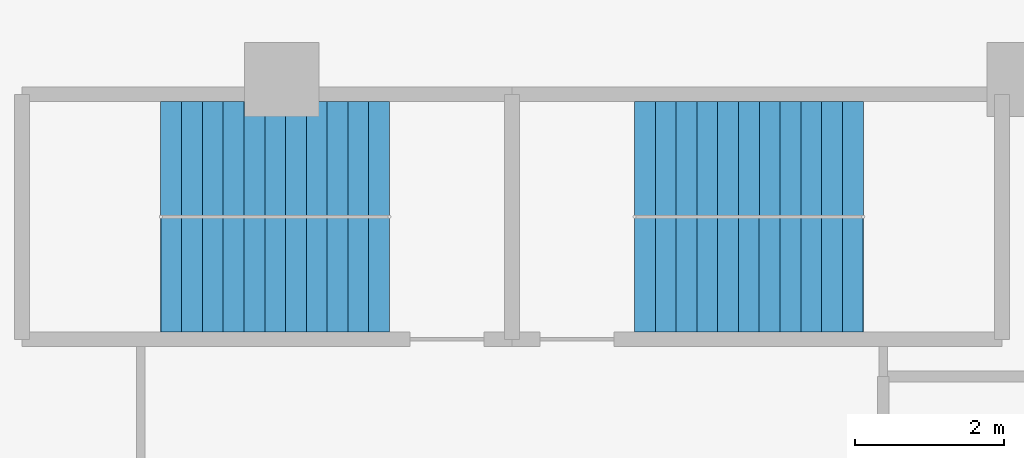
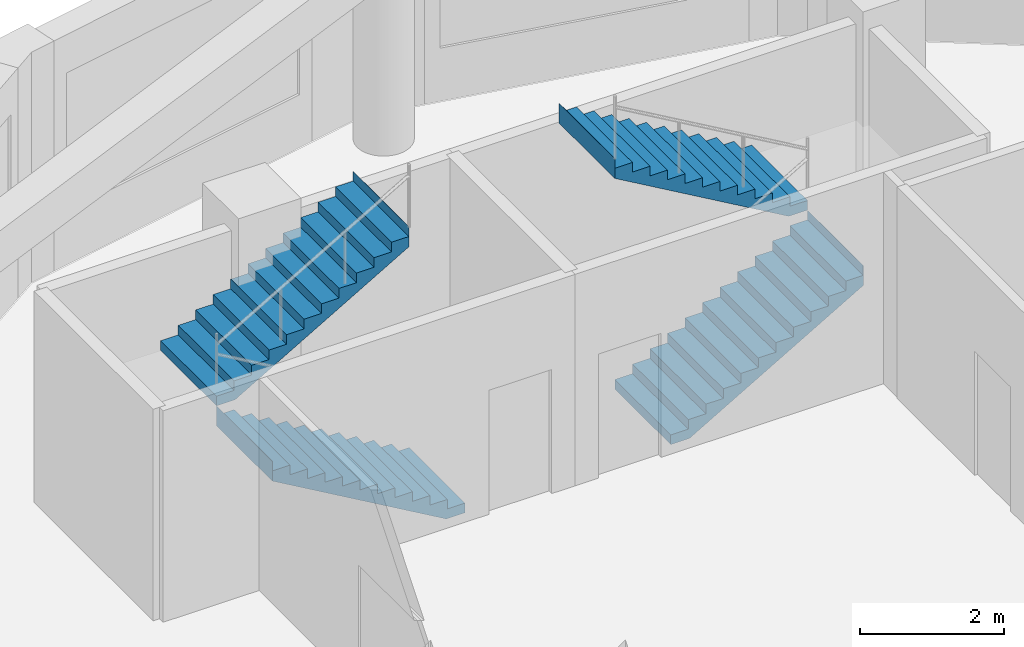
# One storey, part 7 of 9: 4 stair flights, 2 elements without a shape of their own.
"""IFC4 building model written with IfcOpenShell, lengths in metres."""

from ifc_helpers import new_model, si_unit, direction, frame, origin, place, context, subcontext, project, spatial, polyline, outline, extrude, material, type_object, element, aggregate, save


model = new_model("IFC4")

# Units and contexts
model_context = context("Model", 3, precision=1e-05, world=origin(), true_north=direction((0.0, 1.0)))
body_context = subcontext(model_context, "Body", "Model", "MODEL_VIEW")
ifc_project = project(units=[si_unit("LENGTHUNIT", "METRE"), si_unit("AREAUNIT", "SQUARE_METRE"), si_unit("VOLUMEUNIT", "CUBIC_METRE"), si_unit("PLANEANGLEUNIT", "RADIAN"), si_unit("MASSUNIT", "GRAM", prefix="KILO")], contexts=[model_context])

# Site, building, storey
site_placement = place(None, origin())
site = spatial("IfcSite", under=ifc_project, at=site_placement, CompositionType="ELEMENT")
building_placement = place(site_placement, origin())
building = spatial("IfcBuilding", under=site, at=building_placement, Name="Qaws Garden Tower", CompositionType="ELEMENT")
storey_placement = place(building_placement, frame((0.0, 0.0, 270.89990234375)))
storey = spatial("IfcBuildingStorey", under=building, at=storey_placement, Name="L65", CompositionType="ELEMENT", Elevation=270.89990234375)

# Stair, stair flights
ifc_material_1 = material(Name="Concrete C40", Category="concrete")
stair_type = type_object("IfcStairType", Name="Exit stair 1350", PredefinedType="HALF_TURN_STAIR", material=ifc_material_1)
placement = place(storey_placement, origin())
stair_1 = element("IfcStair", 1, at=placement, inside=storey, type_object=stair_type, Name="Stair 6", PredefinedType="HALF_TURN_STAIR")
ifc_material_2 = material(Name="Concrete C40", Category="concrete")
stair_flight_type = type_object("IfcStairFlightType", Name="Stair flight 1350", PredefinedType="STRAIGHT", material=ifc_material_2)
stair_flight_1_placement = place(storey_placement, frame((11.449951171875, 67.375, 0.0), z_axis=(0.0, 0.0, 1.0), x_axis=(-1.0, 0.0, 0.0)))
stair_flight_1 = element("IfcStairFlight", 2, at=stair_flight_1_placement, type_object=stair_flight_type, Name="ST6 flight 1", NumberOfRisers=12, NumberOfTreads=11, PredefinedType="STRAIGHT", RiserHeight=0.1625, TreadLength=0.28, context=body_context, shape_type="SweptSolid", body=[
    extrude(outline(polyline([(-0.0029296875, 0.0), (-0.0029296875, 0.16259765625), (0.0, 0.16259765625), (0.280029296875, 0.16259765625), (0.280029296875, 0.324951171875), (0.56005859375, 0.324951171875), (0.56005859375, 0.487548828125), (0.840087890625, 0.487548828125), (0.840087890625, 0.64990234375), (1.1201171875, 0.64990234375), (1.1201171875, 0.8125), (1.39990234375, 0.8125), (1.39990234375, 0.97509765625), (1.679931640625, 0.97509765625), (1.679931640625, 1.137451171875), (1.9599609375, 1.137451171875), (1.9599609375, 1.300048828125), (2.239990234375, 1.300048828125), (2.239990234375, 1.46240234375), (2.52001953125, 1.46240234375), (2.52001953125, 1.625), (2.800048828125, 1.625), (2.800048828125, 1.78759765625), (3.080078125, 1.78759765625), (3.080078125, 1.949951171875), (3.0830078125, 1.949951171875), (3.0830078125, 1.6142578125), (3.080078125, 1.6142578125), (0.298583984375, 0.0), (-0.0029296875, 0.0)])), frame((0.0, 0.77490234375, 0.0), z_axis=(0.0, -1.0, 0.0), x_axis=(1.0, 0.0, 0.0)), (0.0, 0.0, 1.0), 1.550048828125),
])
stair_flight_2_placement = place(storey_placement, frame((8.3701171875, 68.925048828125, 1.9501953125), z_axis=(0.0, 0.0, 1.0), x_axis=(1.0, 0.0, 0.0)))
stair_flight_2 = element("IfcStairFlight", 3, at=stair_flight_2_placement, type_object=stair_flight_type, Name="ST6 flight 2", NumberOfRisers=12, NumberOfTreads=11, PredefinedType="STRAIGHT", RiserHeight=0.1625, TreadLength=0.28, context=body_context, shape_type="SweptSolid", body=[
    extrude(outline(polyline([(-0.0029296875, 0.0), (-0.0029296875, 0.16259765625), (0.0, 0.16259765625), (0.280029296875, 0.16259765625), (0.280029296875, 0.324951171875), (0.56005859375, 0.324951171875), (0.56005859375, 0.487548828125), (0.840087890625, 0.487548828125), (0.840087890625, 0.64990234375), (1.1201171875, 0.64990234375), (1.1201171875, 0.8125), (1.39990234375, 0.8125), (1.39990234375, 0.97509765625), (1.679931640625, 0.97509765625), (1.679931640625, 1.137451171875), (1.9599609375, 1.137451171875), (1.9599609375, 1.300048828125), (2.239990234375, 1.300048828125), (2.239990234375, 1.46240234375), (2.52001953125, 1.46240234375), (2.52001953125, 1.625), (2.800048828125, 1.625), (2.800048828125, 1.78759765625), (3.080078125, 1.78759765625), (3.080078125, 1.949951171875), (3.0830078125, 1.949951171875), (3.0830078125, 1.6142578125), (3.080078125, 1.6142578125), (0.298583984375, 0.0), (-0.0029296875, 0.0)])), frame((0.0, 0.77490234375, 0.0), z_axis=(0.0, -1.0, 0.0), x_axis=(1.0, 0.0, 0.0)), (0.0, 0.0, 1.0), 1.550048828125),
])
aggregate(stair_1, [stair_flight_1, stair_flight_2])

stair_2 = element("IfcStair", 4, at=placement, inside=storey, type_object=stair_type, Name="Stair 7", PredefinedType="HALF_TURN_STAIR")
stair_flight_3_placement = place(storey_placement, frame((14.75, 67.375, 0.0), z_axis=(0.0, 0.0, 1.0), x_axis=(1.0, 0.0, 0.0)))
stair_flight_3 = element("IfcStairFlight", 5, at=stair_flight_3_placement, type_object=stair_flight_type, Name="ST7 flight 1", NumberOfRisers=12, NumberOfTreads=11, PredefinedType="STRAIGHT", RiserHeight=0.1625, TreadLength=0.28, context=body_context, shape_type="SweptSolid", body=[
    extrude(outline(polyline([(-0.0029296875, 0.0), (-0.0029296875, 0.16259765625), (0.0, 0.16259765625), (0.280029296875, 0.16259765625), (0.280029296875, 0.324951171875), (0.56005859375, 0.324951171875), (0.56005859375, 0.487548828125), (0.840087890625, 0.487548828125), (0.840087890625, 0.64990234375), (1.1201171875, 0.64990234375), (1.1201171875, 0.8125), (1.39990234375, 0.8125), (1.39990234375, 0.97509765625), (1.679931640625, 0.97509765625), (1.679931640625, 1.137451171875), (1.9599609375, 1.137451171875), (1.9599609375, 1.300048828125), (2.239990234375, 1.300048828125), (2.239990234375, 1.46240234375), (2.52001953125, 1.46240234375), (2.52001953125, 1.625), (2.800048828125, 1.625), (2.800048828125, 1.78759765625), (3.080078125, 1.78759765625), (3.080078125, 1.949951171875), (3.0830078125, 1.949951171875), (3.0830078125, 1.6142578125), (3.080078125, 1.6142578125), (0.298583984375, 0.0), (-0.0029296875, 0.0)])), frame((0.0, 0.77490234375, 0.0), z_axis=(0.0, -1.0, 0.0), x_axis=(1.0, 0.0, 0.0)), (0.0, 0.0, 1.0), 1.550048828125),
])
stair_flight_4_placement = place(storey_placement, frame((17.830078125, 68.925048828125, 1.9501953125), z_axis=(0.0, 0.0, 1.0), x_axis=(-1.0, 0.0, 0.0)))
stair_flight_4 = element("IfcStairFlight", 6, at=stair_flight_4_placement, type_object=stair_flight_type, Name="ST7 flight 2", NumberOfRisers=12, NumberOfTreads=11, PredefinedType="STRAIGHT", RiserHeight=0.1625, TreadLength=0.28, context=body_context, shape_type="SweptSolid", body=[
    extrude(outline(polyline([(-0.0029296875, 0.0), (-0.0029296875, 0.16259765625), (0.0, 0.16259765625), (0.280029296875, 0.16259765625), (0.280029296875, 0.324951171875), (0.56005859375, 0.324951171875), (0.56005859375, 0.487548828125), (0.840087890625, 0.487548828125), (0.840087890625, 0.64990234375), (1.1201171875, 0.64990234375), (1.1201171875, 0.8125), (1.39990234375, 0.8125), (1.39990234375, 0.97509765625), (1.679931640625, 0.97509765625), (1.679931640625, 1.137451171875), (1.9599609375, 1.137451171875), (1.9599609375, 1.300048828125), (2.239990234375, 1.300048828125), (2.239990234375, 1.46240234375), (2.52001953125, 1.46240234375), (2.52001953125, 1.625), (2.800048828125, 1.625), (2.800048828125, 1.78759765625), (3.080078125, 1.78759765625), (3.080078125, 1.949951171875), (3.0830078125, 1.949951171875), (3.0830078125, 1.6142578125), (3.080078125, 1.6142578125), (0.298583984375, 0.0), (-0.0029296875, 0.0)])), frame((0.0, 0.77490234375, 0.0), z_axis=(0.0, -1.0, 0.0), x_axis=(1.0, 0.0, 0.0)), (0.0, 0.0, 1.0), 1.550048828125),
])
aggregate(stair_2, [stair_flight_3, stair_flight_4])

save(model, "model.ifc")
